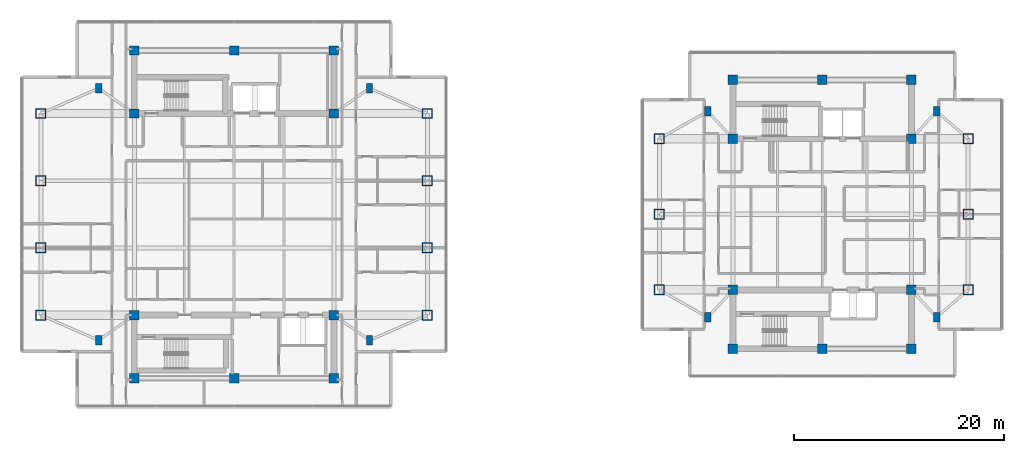
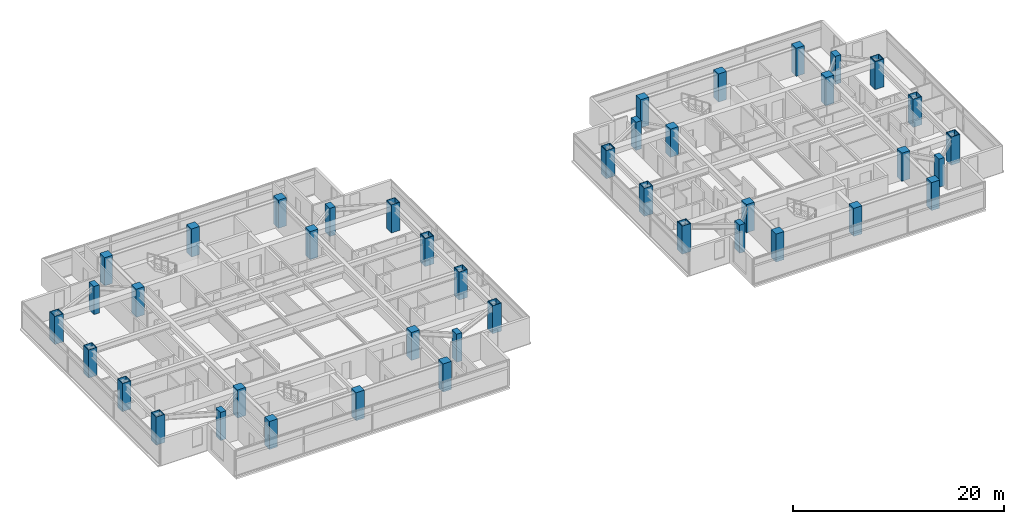
# One storey, part 1 of 24: 42 columns.
"""IFC4 building model written with IfcOpenShell, lengths in metres."""

import ifcopenshell
import ifcopenshell.guid

model = None  # the IFC model being written
_history = None  # IfcOwnerHistory: only IFC2X3 demands one
_inside = {}  # id of a spatial element -> (the spatial element, [elements in it])
_under = {}  # id of a project, library or spatial element -> (it, [spatial elements below it])
_declared = {}  # id of a project -> (the project, [libraries it declares])
_typed = {}  # id of a type object -> (the type object, [elements of that type])
_made_of = {}  # id of a material, layer set ... -> (it, [elements and type objects made of it])


def new_model(schema):
    """Start an empty IFC model of exactly this schema.

    Asked for "IFC4X3", IfcOpenShell would pick the latest addendum, in which some entities
    have other attributes; the version numbers below select the first issue.
    IFC2X3 requires an IfcOwnerHistory on every rooted entity: one is made here for all.
    """
    global model, _history
    if schema == "IFC4X3":
        model = ifcopenshell.file(schema_version=(4, 3, 0, 0))
    else:
        model = ifcopenshell.file(schema=schema)
    _inside.clear()
    _under.clear()
    _declared.clear()
    _typed.clear()
    _made_of.clear()
    _history = None
    if model.schema == "IFC2X3":
        org = make("IfcOrganization", Name="unknown")
        user = make(
            "IfcPersonAndOrganization",
            ThePerson=make("IfcPerson", FamilyName="unknown"),
            TheOrganization=org,
        )
        app = make(
            "IfcApplication",
            ApplicationDeveloper=org,
            Version="unknown",
            ApplicationFullName="unknown",
            ApplicationIdentifier="unknown",
        )
        _history = make(
            "IfcOwnerHistory",
            OwningUser=user,
            OwningApplication=app,
            ChangeAction="ADDED",
            CreationDate=0,
        )
    return model


def make(cls, **values):
    """One entity of the class cls with the attributes given. An attribute that is None is left unset."""
    return model.create_entity(
        cls, **{name: value for name, value in values.items() if value is not None}
    )


def rooted(cls, **values):
    """An entity with a GlobalId (a new one), such as an element, a storey or a relation."""
    return make(cls, GlobalId=ifcopenshell.guid.new(), OwnerHistory=_history, **values)


def si_unit(unit_type, name, prefix=None):
    """IfcSIUnit, for example si_unit("LENGTHUNIT", "METRE", prefix="MILLI")."""
    return make("IfcSIUnit", UnitType=unit_type, Prefix=prefix, Name=name)


def assignment(units):
    """IfcUnitAssignment: the units of a project."""
    return None if units is None else make("IfcUnitAssignment", Units=units)


def point(xyz):
    """IfcCartesianPoint."""
    return None if xyz is None else make("IfcCartesianPoint", Coordinates=xyz)


def direction(xyz):
    """IfcDirection."""
    return None if xyz is None else make("IfcDirection", DirectionRatios=xyz)


def frame(location, z_axis=None, x_axis=None):
    """IfcAxis2Placement3D, a coordinate frame: its origin and axes. An axis left out is left unset."""
    return make(
        "IfcAxis2Placement3D",
        Location=point(location),
        Axis=direction(z_axis),
        RefDirection=direction(x_axis),
    )


def frame_2d(location, x_axis=None):
    """IfcAxis2Placement2D, a coordinate frame in the plane: its origin and x axis."""
    return make(
        "IfcAxis2Placement2D", Location=point(location), RefDirection=direction(x_axis)
    )


def origin():
    """The frame at (0, 0, 0) with its axes left unset."""
    return frame((0.0, 0.0, 0.0))


def origin_2d():
    """The frame at (0, 0) in the plane with its x axis left unset."""
    return frame_2d((0.0, 0.0))


def place(relative_to, where):
    """IfcLocalPlacement: puts the frame where relative to a parent placement (None: the world)."""
    return make(
        "IfcLocalPlacement", PlacementRelTo=relative_to, RelativePlacement=where
    )


def context(
    kind, dimensions, precision=None, world=None, true_north=None, identifier=None
):
    """IfcGeometricRepresentationContext, for example the 3D "Model" context."""
    return make(
        "IfcGeometricRepresentationContext",
        ContextIdentifier=identifier,
        ContextType=kind,
        CoordinateSpaceDimension=dimensions,
        Precision=precision,
        WorldCoordinateSystem=world,
        TrueNorth=true_north,
    )


def subcontext(parent, identifier, kind, view, scale=None):
    """IfcGeometricRepresentationSubContext, for example "Body" below "Model"."""
    return make(
        "IfcGeometricRepresentationSubContext",
        ContextIdentifier=identifier,
        ContextType=kind,
        ParentContext=parent,
        TargetScale=scale,
        TargetView=view,
    )


def project(units=None, contexts=None):
    """IfcProject with its units and contexts."""
    return rooted(
        "IfcProject",
        Name="project",
        RepresentationContexts=contexts,
        UnitsInContext=assignment(units),
    )


def spatial(cls, under=None, at=None, **own):
    """A site, building, storey or space (cls), placed at a placement, below another one or the project."""
    s = rooted(cls, ObjectPlacement=at, **own)
    if under is not None:
        _under.setdefault(under.id(), (under, []))[1].append(s)
    return s


def profile(cls, at=None, kind="AREA", **sizes):
    """A parametric profile (cls). Its sizes go by their IFC names, for example OverallWidth=200.0."""
    return make(cls, ProfileType=kind, Position=at, **sizes)


def rectangle(**sizes):
    """IfcRectangleProfileDef."""
    return profile("IfcRectangleProfileDef", **sizes)


def hollow_rectangle(**sizes):
    """IfcRectangleHollowProfileDef."""
    return profile("IfcRectangleHollowProfileDef", **sizes)


def extrude(swept, where, along, depth):
    """IfcExtrudedAreaSolid: the profile swept, set in the frame where, extruded along a direction by depth."""
    return make(
        "IfcExtrudedAreaSolid",
        SweptArea=swept,
        Position=where,
        ExtrudedDirection=direction(along),
        Depth=depth,
    )


def shape(context_of_items, identifier, shape_type, items):
    """IfcShapeRepresentation: the items that make up one representation, for example the "Body"."""
    return make(
        "IfcShapeRepresentation",
        ContextOfItems=context_of_items,
        RepresentationIdentifier=identifier,
        RepresentationType=shape_type,
        Items=items,
    )


def material(Name=None, Category=None):
    """IfcMaterial."""
    return make("IfcMaterial", Name=Name, Category=Category)


def material_profile(
    of_material, cross_section, Name=None, Category=None, Priority=None
):
    """IfcMaterialProfile: a cross section and its material."""
    return make(
        "IfcMaterialProfile",
        Name=Name,
        Material=of_material,
        Profile=cross_section,
        Priority=Priority,
        Category=Category,
    )


def profile_set(profiles, Name=None, composite=None):
    """IfcMaterialProfileSet."""
    return make(
        "IfcMaterialProfileSet",
        Name=Name,
        MaterialProfiles=profiles,
        CompositeProfile=composite,
    )


def made_of(thing, what):
    """Note that an element or type object is made of a material, layer set ...; save() writes the relation."""
    if what is not None:
        _made_of.setdefault(what.id(), (what, []))[1].append(thing)
    return thing


def type_object(cls, material=None, **own):
    """A type object (cls), such as IfcWallType, which elements share."""
    return made_of(rooted(cls, **own), material)


def element(
    cls,
    number,
    at=None,
    inside=None,
    cuts=None,
    type_object=None,
    material=None,
    context=None,
    identifier="Body",
    shape_type=None,
    held_by="IfcProductDefinitionShape",
    body=None,
    shapes=None,
    **own,
):
    """One element of the class cls, such as IfcWall. Its Tag is "e" and its number.

    at: its placement. inside: the storey or other place that contains it. cuts: it is an
    opening in that element (IfcRelVoidsElement). A single representation is given by context,
    identifier, shape_type and body (its items); several are given by shapes. held_by: the class
    of the entity that holds the representations. save() writes the other relations.
    """
    e = rooted(cls, Tag="e%d" % number, ObjectPlacement=at, **own)
    if body is not None:
        shapes = [shape(context, identifier, shape_type, body)]
    if shapes is not None:
        e.Representation = make(held_by, Representations=shapes)
    if inside is not None:
        _inside.setdefault(inside.id(), (inside, []))[1].append(e)
    if cuts is not None:
        rooted(
            "IfcRelVoidsElement", RelatingBuildingElement=cuts, RelatedOpeningElement=e
        )
    if type_object is not None:
        _typed.setdefault(type_object.id(), (type_object, []))[1].append(e)
    return made_of(e, material)


def aggregate(whole, parts):
    """IfcRelAggregates: a whole, such as a stair, and the parts it consists of."""
    return rooted("IfcRelAggregates", RelatingObject=whole, RelatedObjects=parts)


def save(model, path):
    """Write the relations noted so far, then the file.

    IfcRelAggregates (storeys below a building ...), IfcRelContainedInSpatialStructure (elements
    in a storey), IfcRelDefinesByType, IfcRelAssociatesMaterial and IfcRelDeclares: one each for
    every whole, place, type object, material and project.
    """
    for whole, parts in _under.values():
        aggregate(whole, parts)
    for where, things in _inside.values():
        rooted(
            "IfcRelContainedInSpatialStructure",
            RelatedElements=things,
            RelatingStructure=where,
        )
    for kind, things in _typed.values():
        rooted("IfcRelDefinesByType", RelatedObjects=things, RelatingType=kind)
    for what, things in _made_of.values():
        rooted("IfcRelAssociatesMaterial", RelatedObjects=things, RelatingMaterial=what)
    for by, libraries in _declared.values():
        rooted("IfcRelDeclares", RelatingContext=by, RelatedDefinitions=libraries)
    model.write(path)


model = new_model("IFC4")

# Units and contexts
model_context = context("Model", 3, precision=1e-05, world=origin(), true_north=direction((0.0, 1.0)))
body_context = subcontext(model_context, "Body", "Model", "MODEL_VIEW")
ifc_project = project(units=[si_unit("LENGTHUNIT", "METRE"), si_unit("AREAUNIT", "SQUARE_METRE"), si_unit("VOLUMEUNIT", "CUBIC_METRE"), si_unit("PLANEANGLEUNIT", "RADIAN"), si_unit("MASSUNIT", "GRAM", prefix="KILO")], contexts=[model_context])

# Site, building, storey
site_placement = place(None, origin())
site = spatial("IfcSite", under=ifc_project, at=site_placement, CompositionType="ELEMENT")
building_placement = place(site_placement, origin())
building = spatial("IfcBuilding", under=site, at=building_placement, Name="Mirazonda Arch Towers", CompositionType="ELEMENT")
storey_placement = place(building_placement, frame((0.0, 0.0, 193.39990234375)))
storey = spatial("IfcBuildingStorey", under=building, at=storey_placement, Name="L55", CompositionType="ELEMENT", Elevation=193.39990234375)

# Columns
ifc_material_1 = material(Name="Concrete C50/60", Category="concrete")
ifc_material_profile_1 = material_profile(ifc_material_1, rectangle(XDim=0.89990234375, YDim=0.89990234375, at=origin_2d()), Name="RC900x900")
ifc_profile_set_1 = profile_set([ifc_material_profile_1], Name="Concrete C50/60")
column_type_1 = type_object("IfcColumnType", Name="COL-INT-RC900x900", PredefinedType="COLUMN", material=ifc_profile_set_1)
for number, where, z_axis, x_axis, name in (
    (1, (11.0, 12.39990234375, 0.0), (0.0, 0.0, 1.0), (1.0, 0.0, 0.0), "L55 T1 Core Column 01"),
    (2, (20.5, 12.39990234375, 0.0), (0.0, 0.0, 1.0), (1.0, 0.0, 0.0), "L55 T1 Core Column 02"),
    (3, (30.0, 12.39990234375, 0.0), (0.0, 0.0, 1.0), (1.0, 0.0, 0.0), "L55 T1 Core Column 03"),
    (4, (11.0, 18.39990234375, 0.0), (0.0, 0.0, 1.0), (1.0, 0.0, 0.0), "L55 T1 Core Column 04"),
    (5, (30.0, 18.39990234375, 0.0), (0.0, 0.0, 1.0), (1.0, 0.0, 0.0), "L55 T1 Core Column 05"),
    (6, (11.0, 37.60009765625, 0.0), (0.0, 0.0, 1.0), (1.0, 0.0, 0.0), "L55 T1 Core Column 06"),
    (7, (30.0, 37.60009765625, 0.0), (0.0, 0.0, 1.0), (1.0, 0.0, 0.0), "L55 T1 Core Column 07"),
    (8, (11.0, 43.60009765625, 0.0), (0.0, 0.0, 1.0), (1.0, 0.0, 0.0), "L55 T1 Core Column 08"),
    (9, (20.5, 43.60009765625, 0.0), (0.0, 0.0, 1.0), (1.0, 0.0, 0.0), "L55 T1 Core Column 09"),
    (10, (30.0, 43.60009765625, 0.0), (0.0, 0.0, 1.0), (1.0, 0.0, 0.0), "L55 T1 Core Column 10"),
    (11, (68.0, 15.199951171875, 0.0), (0.0, 0.0, 1.0), (1.0, 0.0, 0.0), "L55 T2 Core Column 01"),
    (12, (76.5, 15.199951171875, 0.0), (0.0, 0.0, 1.0), (1.0, 0.0, 0.0), "L55 T2 Core Column 02"),
    (13, (85.0, 15.199951171875, 0.0), (0.0, 0.0, 1.0), (1.0, 0.0, 0.0), "L55 T2 Core Column 03"),
    (14, (68.0, 20.800048828125, 0.0), (0.0, 0.0, 1.0), (1.0, 0.0, 0.0), "L55 T2 Core Column 04"),
    (15, (85.0, 20.800048828125, 0.0), (0.0, 0.0, 1.0), (1.0, 0.0, 0.0), "L55 T2 Core Column 05"),
    (16, (68.0, 35.199951171875, 0.0), (0.0, 0.0, 1.0), (1.0, 0.0, 0.0), "L55 T2 Core Column 06"),
    (17, (85.0, 35.199951171875, 0.0), (0.0, 0.0, 1.0), (1.0, 0.0, 0.0), "L55 T2 Core Column 07"),
    (18, (68.0, 40.800048828125, 0.0), (0.0, 0.0, 1.0), (1.0, 0.0, 0.0), "L55 T2 Core Column 08"),
    (19, (76.5, 40.800048828125, 0.0), (0.0, 0.0, 1.0), (1.0, 0.0, 0.0), "L55 T2 Core Column 09"),
    (20, (85.0, 40.800048828125, 0.0), (0.0, 0.0, 1.0), (1.0, 0.0, 0.0), "L55 T2 Core Column 10"),
):
    element("IfcColumn", number, at=place(storey_placement, frame(where, z_axis=z_axis, x_axis=x_axis)), inside=storey, type_object=column_type_1, Name=name, PredefinedType="COLUMN", context=body_context, shape_type="SweptSolid", body=[
        extrude(rectangle(XDim=0.89990234375, YDim=0.89990234375, at=origin_2d()), origin(), (0.0, 0.0, 1.0), 3.25),
    ])
ifc_material_2 = material(Name="Steel ASTM A572 Grade 50", Category="steel")
ifc_material_profile_2 = material_profile(ifc_material_2, hollow_rectangle(XDim=0.949951171875, YDim=0.949951171875, WallThickness=0.050048828125, at=origin_2d()), Name="BOX950x950x50")
ifc_profile_set_2 = profile_set([ifc_material_profile_2], Name="Steel ASTM A572 Grade 50")
column_type_2 = type_object("IfcColumnType", Name="MCOL-EXT-BOX950x950x50", PredefinedType="COLUMN", material=ifc_profile_set_2)
for number, where, z_axis, x_axis, name in (
    (21, (2.10009765625, 18.39990234375, 0.0), (0.0, 0.0, 1.0), (1.0, 0.0, 0.0), "L55 T1 Composite Mega-Column 01"),
    (22, (2.10009765625, 24.800048828125, 0.0), (0.0, 0.0, 1.0), (1.0, 0.0, 0.0), "L55 T1 Composite Mega-Column 02"),
    (23, (2.10009765625, 31.199951171875, 0.0), (0.0, 0.0, 1.0), (1.0, 0.0, 0.0), "L55 T1 Composite Mega-Column 03"),
    (24, (2.10009765625, 37.60009765625, 0.0), (0.0, 0.0, 1.0), (1.0, 0.0, 0.0), "L55 T1 Composite Mega-Column 04"),
    (25, (38.89990234375, 18.39990234375, 0.0), (0.0, 0.0, 1.0), (1.0, 0.0, 0.0), "L55 T1 Composite Mega-Column 05"),
    (26, (38.89990234375, 24.800048828125, 0.0), (0.0, 0.0, 1.0), (1.0, 0.0, 0.0), "L55 T1 Composite Mega-Column 06"),
    (27, (38.89990234375, 31.199951171875, 0.0), (0.0, 0.0, 1.0), (1.0, 0.0, 0.0), "L55 T1 Composite Mega-Column 07"),
    (28, (38.89990234375, 37.60009765625, 0.0), (0.0, 0.0, 1.0), (1.0, 0.0, 0.0), "L55 T1 Composite Mega-Column 08"),
    (29, (61.0, 20.800048828125, 0.0), (0.0, 0.0, 1.0), (1.0, 0.0, 0.0), "L55 T2 Composite Mega-Column 01"),
    (30, (61.0, 28.0, 0.0), (0.0, 0.0, 1.0), (1.0, 0.0, 0.0), "L55 T2 Composite Mega-Column 02"),
    (31, (61.0, 35.199951171875, 0.0), (0.0, 0.0, 1.0), (1.0, 0.0, 0.0), "L55 T2 Composite Mega-Column 03"),
    (32, (90.39990234375, 20.800048828125, 0.0), (0.0, 0.0, 1.0), (1.0, 0.0, 0.0), "L55 T2 Composite Mega-Column 04"),
    (33, (90.39990234375, 28.0, 0.0), (0.0, 0.0, 1.0), (1.0, 0.0, 0.0), "L55 T2 Composite Mega-Column 05"),
    (34, (90.39990234375, 35.199951171875, 0.0), (0.0, 0.0, 1.0), (1.0, 0.0, 0.0), "L55 T2 Composite Mega-Column 06"),
):
    element("IfcColumn", number, at=place(storey_placement, frame(where, z_axis=z_axis, x_axis=x_axis)), inside=storey, type_object=column_type_2, Name=name, PredefinedType="COLUMN", context=body_context, shape_type="SweptSolid", body=[
        extrude(hollow_rectangle(XDim=0.949951171875, YDim=0.949951171875, WallThickness=0.050048828125, at=origin_2d()), origin(), (0.0, 0.0, 1.0), 3.25),
    ])
ifc_material_profile_3 = material_profile(ifc_material_1, rectangle(XDim=0.60009765625, YDim=0.89990234375, at=origin_2d()), Name="RC900x600")
ifc_profile_set_3 = profile_set([ifc_material_profile_3], Name="Concrete C50/60")
column_type_3 = type_object("IfcColumnType", Name="PIL-EXT-RC900x600", PredefinedType="PILASTER", material=ifc_profile_set_3)
for number, where, z_axis, x_axis, name in (
    (35, (7.60009765625, 16.0, 0.0), (0.0, 0.0, 1.0), (1.0, 0.0, 0.0), "L55 T1 Corner Pilaster 01"),
    (36, (33.39990234375, 16.0, 0.0), (0.0, 0.0, 1.0), (1.0, 0.0, 0.0), "L55 T1 Corner Pilaster 02"),
    (37, (7.60009765625, 40.0, 0.0), (0.0, 0.0, 1.0), (1.0, 0.0, 0.0), "L55 T1 Corner Pilaster 03"),
    (38, (33.39990234375, 40.0, 0.0), (0.0, 0.0, 1.0), (1.0, 0.0, 0.0), "L55 T1 Corner Pilaster 04"),
    (39, (65.60009765625, 18.199951171875, 0.0), (0.0, 0.0, 1.0), (1.0, 0.0, 0.0), "L55 T2 Corner Pilaster 01"),
    (40, (87.39990234375, 18.199951171875, 0.0), (0.0, 0.0, 1.0), (1.0, 0.0, 0.0), "L55 T2 Corner Pilaster 02"),
    (41, (65.60009765625, 37.800048828125, 0.0), (0.0, 0.0, 1.0), (1.0, 0.0, 0.0), "L55 T2 Corner Pilaster 03"),
    (42, (87.39990234375, 37.800048828125, 0.0), (0.0, 0.0, 1.0), (1.0, 0.0, 0.0), "L55 T2 Corner Pilaster 04"),
):
    element("IfcColumn", number, at=place(storey_placement, frame(where, z_axis=z_axis, x_axis=x_axis)), inside=storey, type_object=column_type_3, Name=name, PredefinedType="PILASTER", context=body_context, shape_type="SweptSolid", body=[
        extrude(rectangle(XDim=0.60009765625, YDim=0.89990234375, at=origin_2d()), origin(), (0.0, 0.0, 1.0), 3.25),
    ])

save(model, "model.ifc")
